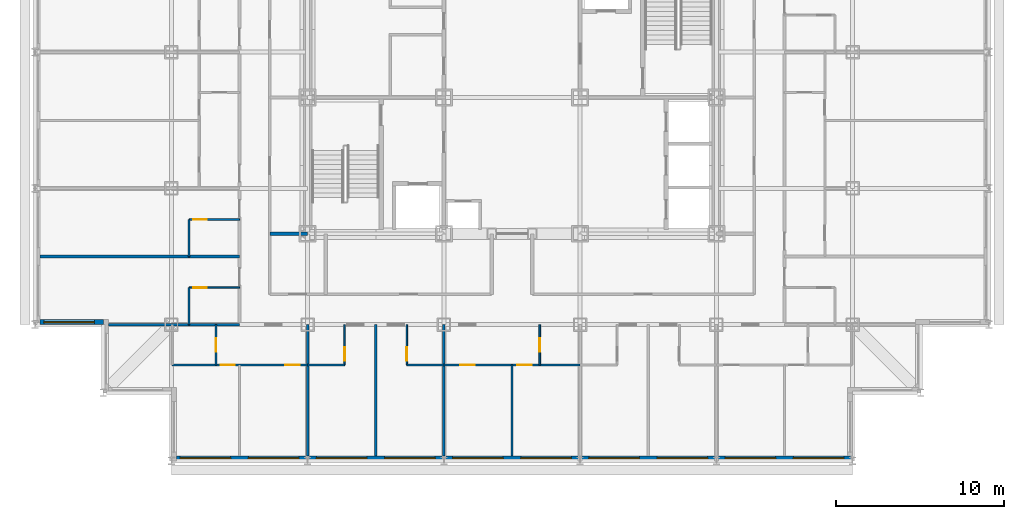
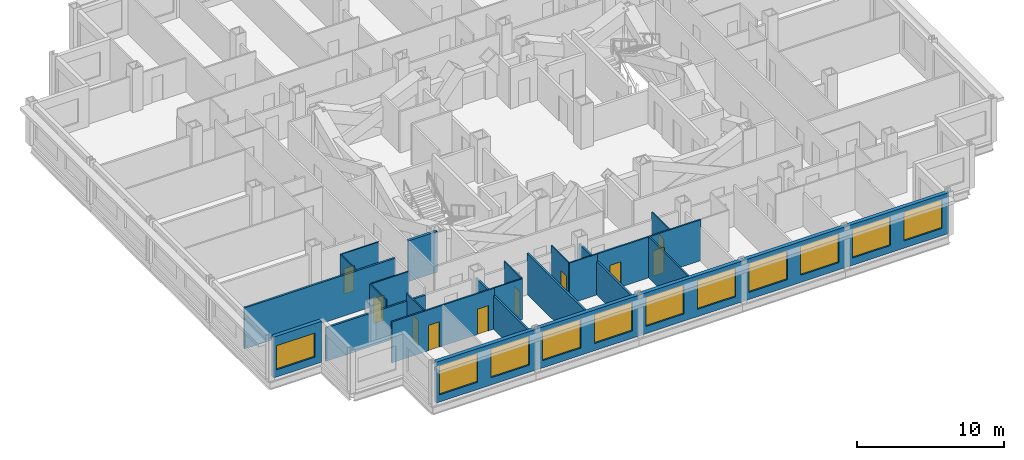
# One storey, part 4 of 12: 21 walls, 11 windows, 10 doors, 21 openings.
"""IFC4 building model written with IfcOpenShell, lengths in metres."""

from ifc_helpers import new_model, si_unit, direction, frame, frame_2d, origin, place, context, subcontext, project, spatial, rectangle, extrude, material, layer, layer_set, type_object, element, fill, save


model = new_model("IFC4")

# Units and contexts
model_context = context("Model", 3, precision=1e-05, world=origin(), true_north=direction((0.0, 1.0)))
body_context = subcontext(model_context, "Body", "Model", "MODEL_VIEW")
ifc_project = project(units=[si_unit("LENGTHUNIT", "METRE"), si_unit("AREAUNIT", "SQUARE_METRE"), si_unit("VOLUMEUNIT", "CUBIC_METRE"), si_unit("PLANEANGLEUNIT", "RADIAN"), si_unit("MASSUNIT", "GRAM", prefix="KILO")], contexts=[model_context])

# Site, building, storey
site_placement = place(None, origin())
site = spatial("IfcSite", under=ifc_project, at=site_placement, CompositionType="ELEMENT")
building_placement = place(site_placement, origin())
building = spatial("IfcBuilding", under=site, at=building_placement, Name="Kopane Lantern Tower", CompositionType="ELEMENT")
storey_placement = place(building_placement, frame((0.0, 0.0, 177.60009765625)))
storey = spatial("IfcBuildingStorey", under=building, at=storey_placement, Name="L45", CompositionType="ELEMENT", Elevation=177.60009765625)

# Wall, openings, doors
ifc_material_1 = material(Name="Gypsum board on steel studs", Category="steel")
ifc_layer_1 = layer(ifc_material_1, 0.1201171875)
ifc_layer_set_1 = layer_set([ifc_layer_1], Name="APARTMENT INTERNAL WALL 120")
wall_type_1 = type_object("IfcWallType", Name="APARTMENT INTERNAL WALL 120", PredefinedType="PARTITIONING", material=ifc_layer_set_1)
wall_1_placement = place(storey_placement, frame((24.300048828125, 16.5, 0.0), z_axis=(0.0, 0.0, 1.0), x_axis=(1.0, 0.0, 0.0)))
wall_1 = element("IfcWall", 1, at=wall_1_placement, inside=storey, type_object=wall_type_1, Name="Apartment Internal Wall 120 L45", PredefinedType="PARTITIONING", context=body_context, shape_type="SweptSolid", body=[
    extrude(rectangle(XDim=8.099853515625, YDim=0.1201171875, at=frame_2d((4.0498046875, 0.0))), origin(), (0.0, 0.0, 1.0), 3.389892578125),
])
opening_1_placement = place(wall_1_placement, frame((0.97509765625, 0.0, 0.0)))
opening_1 = element("IfcOpeningElement", 2, at=opening_1_placement, cuts=wall_1, Name="Opening L45-014", PredefinedType="OPENING", context=body_context, shape_type="SweptSolid", body=[
    extrude(rectangle(XDim=0.85009765625, YDim=2.10009765625, at=frame_2d((0.425048828125, 1.050048828125))), frame((0.0, 0.070068359375, 0.0), z_axis=(0.0, -1.0, 0.0), x_axis=(1.0, 0.0, 0.0)), (0.0, 0.0, 1.0), 0.14013671875),
])
opening_2_placement = place(wall_1_placement, frame((4.375, 0.0, 0.0)))
opening_2 = element("IfcOpeningElement", 3, at=opening_2_placement, cuts=wall_1, Name="Opening L45-015", PredefinedType="OPENING", context=body_context, shape_type="SweptSolid", body=[
    extrude(rectangle(XDim=0.85009765625, YDim=2.10009765625, at=frame_2d((0.425048828125, 1.050048828125))), frame((0.0, 0.070068359375, 0.0), z_axis=(0.0, -1.0, 0.0), x_axis=(1.0, 0.0, 0.0)), (0.0, 0.0, 1.0), 0.14013671875),
])
ifc_material_2 = material(Name="Timber door set", Category="wood")
door_type_1 = type_object("IfcDoorType", Name="DOOR D4 850x2100", OperationType="SINGLE_SWING_LEFT", PredefinedType="DOOR", material=ifc_material_2)
door_1_placement = place(opening_1_placement, origin())
door_1 = element("IfcDoor", 4, at=door_1_placement, inside=storey, type_object=door_type_1, Name="Door L45-014", OperationType="SINGLE_SWING_LEFT", OverallHeight=2.10009765625, OverallWidth=0.85009765625, PredefinedType="DOOR", context=body_context, shape_type="SweptSolid", body=[
    extrude(rectangle(XDim=0.85009765625, YDim=2.10009765625, at=frame_2d((0.425048828125, 1.050048828125))), frame((0.0, 0.02490234375, 0.0), z_axis=(0.0, -1.0, 0.0), x_axis=(1.0, 0.0, 0.0)), (0.0, 0.0, 1.0), 0.050048828125),
])
fill(opening_1, door_1)
door_2_placement = place(opening_2_placement, origin())
door_2 = element("IfcDoor", 5, at=door_2_placement, inside=storey, type_object=door_type_1, Name="Door L45-015", OperationType="SINGLE_SWING_RIGHT", OverallHeight=2.10009765625, OverallWidth=0.85009765625, PredefinedType="DOOR", context=body_context, shape_type="SweptSolid", body=[
    extrude(rectangle(XDim=0.85009765625, YDim=2.10009765625, at=frame_2d((0.425048828125, 1.050048828125))), frame((0.0, 0.02490234375, 0.0), z_axis=(0.0, -1.0, 0.0), x_axis=(1.0, 0.0, 0.0)), (0.0, 0.0, 1.0), 0.050048828125),
])
fill(opening_2, door_2)

# Wall
wall_2_placement = place(storey_placement, frame((28.35009765625, 16.5, 0.0), z_axis=(0.0, 0.0, 1.0), x_axis=(0.0, -1.0, 0.0)))
element("IfcWall", 6, at=wall_2_placement, inside=storey, type_object=wall_type_1, Name="Apartment Internal Wall 120 L45", PredefinedType="PARTITIONING", context=body_context, shape_type="SweptSolid", body=[
    extrude(rectangle(XDim=5.39990234375, YDim=0.1201171875, at=frame_2d((2.699951171875, 0.0))), origin(), (0.0, 0.0, 1.0), 3.389892578125),
])

# Wall, openings, doors
wall_3_placement = place(storey_placement, frame((8.14990234375, 16.5, 0.0), z_axis=(0.0, 0.0, 1.0), x_axis=(1.0, 0.0, 0.0)))
wall_3 = element("IfcWall", 7, at=wall_3_placement, inside=storey, type_object=wall_type_1, Name="Apartment Internal Wall 120 L45", PredefinedType="PARTITIONING", context=body_context, shape_type="SweptSolid", body=[
    extrude(rectangle(XDim=8.050048828125, YDim=0.1201171875, at=frame_2d((4.02490234375, 0.0))), origin(), (0.0, 0.0, 1.0), 3.389892578125),
])
opening_3_placement = place(wall_3_placement, frame((6.72509765625, 0.0, 0.0)))
opening_3 = element("IfcOpeningElement", 8, at=opening_3_placement, cuts=wall_3, Name="Opening L45-055", PredefinedType="OPENING", context=body_context, shape_type="SweptSolid", body=[
    extrude(rectangle(XDim=0.85009765625, YDim=2.10009765625, at=frame_2d((0.425048828125, 1.050048828125))), frame((0.0, 0.070068359375, 0.0), z_axis=(0.0, -1.0, 0.0), x_axis=(1.0, 0.0, 0.0)), (0.0, 0.0, 1.0), 0.14013671875),
])
opening_4_placement = place(wall_3_placement, frame((2.875, 0.0, 0.0)))
opening_4 = element("IfcOpeningElement", 9, at=opening_4_placement, cuts=wall_3, Name="Opening L45-057", PredefinedType="OPENING", context=body_context, shape_type="SweptSolid", body=[
    extrude(rectangle(XDim=0.85009765625, YDim=2.10009765625, at=frame_2d((0.425048828125, 1.050048828125))), frame((0.0, 0.070068359375, 0.0), z_axis=(0.0, -1.0, 0.0), x_axis=(1.0, 0.0, 0.0)), (0.0, 0.0, 1.0), 0.14013671875),
])
door_3_placement = place(opening_3_placement, origin())
door_3 = element("IfcDoor", 10, at=door_3_placement, inside=storey, type_object=door_type_1, Name="Door L45-055", OperationType="SINGLE_SWING_RIGHT", OverallHeight=2.10009765625, OverallWidth=0.85009765625, PredefinedType="DOOR", context=body_context, shape_type="SweptSolid", body=[
    extrude(rectangle(XDim=0.85009765625, YDim=2.10009765625, at=frame_2d((0.425048828125, 1.050048828125))), frame((0.0, 0.02490234375, 0.0), z_axis=(0.0, -1.0, 0.0), x_axis=(1.0, 0.0, 0.0)), (0.0, 0.0, 1.0), 0.050048828125),
])
fill(opening_3, door_3)
door_4_placement = place(opening_4_placement, origin())
door_4 = element("IfcDoor", 11, at=door_4_placement, inside=storey, type_object=door_type_1, Name="Door L45-057", OperationType="SINGLE_SWING_LEFT", OverallHeight=2.10009765625, OverallWidth=0.85009765625, PredefinedType="DOOR", context=body_context, shape_type="SweptSolid", body=[
    extrude(rectangle(XDim=0.85009765625, YDim=2.10009765625, at=frame_2d((0.425048828125, 1.050048828125))), frame((0.0, 0.02490234375, 0.0), z_axis=(0.0, -1.0, 0.0), x_axis=(1.0, 0.0, 0.0)), (0.0, 0.0, 1.0), 0.050048828125),
])
fill(opening_4, door_4)

# Wall
ifc_material_3 = material(Name="Moisture-resistant board on steel studs", Category="steel")
ifc_layer_2 = layer(ifc_material_3, 0.10009765625)
ifc_layer_set_2 = layer_set([ifc_layer_2], Name="BATHROOM WALL 100")
wall_type_2 = type_object("IfcWallType", Name="BATHROOM WALL 100", PredefinedType="PARTITIONING", material=ifc_layer_set_2)
wall_4_placement = place(storey_placement, frame((16.199951171875, 16.5, 0.0), z_axis=(0.0, 0.0, 1.0), x_axis=(1.0, 0.0, 0.0)))
element("IfcWall", 12, at=wall_4_placement, inside=storey, type_object=wall_type_2, Name="Bathroom Wall 100 L45", PredefinedType="PARTITIONING", context=body_context, shape_type="SweptSolid", body=[
    extrude(rectangle(XDim=2.199951171875, YDim=0.10009765625, at=frame_2d((1.10009765625, 0.0))), origin(), (0.0, 0.0, 1.0), 3.389892578125),
])

# Wall, opening, door
wall_5_placement = place(storey_placement, frame((18.39990234375, 18.89990234375, 0.0), z_axis=(0.0, 0.0, 1.0), x_axis=(0.0, -1.0, 0.0)))
wall_5 = element("IfcWall", 13, at=wall_5_placement, inside=storey, type_object=wall_type_2, Name="Bathroom Wall 100 L45", PredefinedType="PARTITIONING", context=body_context, shape_type="SweptSolid", body=[
    extrude(rectangle(XDim=2.39990234375, YDim=0.10009765625, at=frame_2d((1.199951171875, 0.0))), origin(), (0.0, 0.0, 1.0), 3.389892578125),
])
opening_5_placement = place(wall_5_placement, frame((1.35009765625, 0.0, 0.0)))
opening_5 = element("IfcOpeningElement", 14, at=opening_5_placement, cuts=wall_5, Name="Opening L45-008", PredefinedType="OPENING", context=body_context, shape_type="SweptSolid", body=[
    extrude(rectangle(XDim=0.800048828125, YDim=2.10009765625, at=frame_2d((0.39990234375, 1.050048828125))), frame((0.0, 0.06005859375, 0.0), z_axis=(0.0, -1.0, 0.0), x_axis=(1.0, 0.0, 0.0)), (0.0, 0.0, 1.0), 0.1201171875),
])
ifc_material_4 = material(Name="Timber door set", Category="wood")
door_type_2 = type_object("IfcDoorType", Name="DOOR D2 800x2100", OperationType="SINGLE_SWING_LEFT", PredefinedType="DOOR", material=ifc_material_4)
door_5_placement = place(opening_5_placement, origin())
door_5 = element("IfcDoor", 15, at=door_5_placement, inside=storey, type_object=door_type_2, Name="Door L45-008", OperationType="SINGLE_SWING_LEFT", OverallHeight=2.10009765625, OverallWidth=0.800048828125, PredefinedType="DOOR", context=body_context, shape_type="SweptSolid", body=[
    extrude(rectangle(XDim=0.800048828125, YDim=2.10009765625, at=frame_2d((0.39990234375, 1.050048828125))), frame((0.0, 0.02490234375, 0.0), z_axis=(0.0, -1.0, 0.0), x_axis=(1.0, 0.0, 0.0)), (0.0, 0.0, 1.0), 0.050048828125),
])
fill(opening_5, door_5)

# Wall
wall_6_placement = place(storey_placement, frame((22.10009765625, 16.5, 0.0), z_axis=(0.0, 0.0, 1.0), x_axis=(1.0, 0.0, 0.0)))
element("IfcWall", 16, at=wall_6_placement, inside=storey, type_object=wall_type_2, Name="Bathroom Wall 100 L45", PredefinedType="PARTITIONING", context=body_context, shape_type="SweptSolid", body=[
    extrude(rectangle(XDim=2.199951171875, YDim=0.10009765625, at=frame_2d((1.10009765625, 0.0))), origin(), (0.0, 0.0, 1.0), 3.389892578125),
])

# Wall, opening, door
wall_7_placement = place(storey_placement, frame((22.10009765625, 18.89990234375, 0.0), z_axis=(0.0, 0.0, 1.0), x_axis=(0.0, -1.0, 0.0)))
wall_7 = element("IfcWall", 17, at=wall_7_placement, inside=storey, type_object=wall_type_2, Name="Bathroom Wall 100 L45", PredefinedType="PARTITIONING", context=body_context, shape_type="SweptSolid", body=[
    extrude(rectangle(XDim=2.39990234375, YDim=0.10009765625, at=frame_2d((1.199951171875, 0.0))), origin(), (0.0, 0.0, 1.0), 3.389892578125),
])
opening_6_placement = place(wall_7_placement, frame((1.35009765625, 0.0, 0.0)))
opening_6 = element("IfcOpeningElement", 18, at=opening_6_placement, cuts=wall_7, Name="Opening L45-010", PredefinedType="OPENING", context=body_context, shape_type="SweptSolid", body=[
    extrude(rectangle(XDim=0.800048828125, YDim=2.10009765625, at=frame_2d((0.39990234375, 1.050048828125))), frame((0.0, 0.06005859375, 0.0), z_axis=(0.0, -1.0, 0.0), x_axis=(1.0, 0.0, 0.0)), (0.0, 0.0, 1.0), 0.1201171875),
])
door_6_placement = place(opening_6_placement, origin())
door_6 = element("IfcDoor", 19, at=door_6_placement, inside=storey, type_object=door_type_2, Name="Door L45-010", OperationType="SINGLE_SWING_RIGHT", OverallHeight=2.10009765625, OverallWidth=0.800048828125, PredefinedType="DOOR", context=body_context, shape_type="SweptSolid", body=[
    extrude(rectangle(XDim=0.800048828125, YDim=2.10009765625, at=frame_2d((0.39990234375, 1.050048828125))), frame((0.0, 0.02490234375, 0.0), z_axis=(0.0, -1.0, 0.0), x_axis=(1.0, 0.0, 0.0)), (0.0, 0.0, 1.0), 0.050048828125),
])
fill(opening_6, door_6)

wall_8_placement = place(storey_placement, frame((30.0, 18.89990234375, 0.0), z_axis=(0.0, 0.0, 1.0), x_axis=(0.0, -1.0, 0.0)))
wall_8 = element("IfcWall", 20, at=wall_8_placement, inside=storey, type_object=wall_type_2, Name="Bathroom Wall 100 L45", PredefinedType="PARTITIONING", context=body_context, shape_type="SweptSolid", body=[
    extrude(rectangle(XDim=2.39990234375, YDim=0.10009765625, at=frame_2d((1.199951171875, 0.0))), origin(), (0.0, 0.0, 1.0), 3.389892578125),
])
opening_7_placement = place(wall_8_placement, frame((0.800048828125, 0.0, 0.0)))
opening_7 = element("IfcOpeningElement", 21, at=opening_7_placement, cuts=wall_8, Name="Opening L45-012", PredefinedType="OPENING", context=body_context, shape_type="SweptSolid", body=[
    extrude(rectangle(XDim=0.800048828125, YDim=2.10009765625, at=frame_2d((0.39990234375, 1.050048828125))), frame((0.0, 0.06005859375, 0.0), z_axis=(0.0, -1.0, 0.0), x_axis=(1.0, 0.0, 0.0)), (0.0, 0.0, 1.0), 0.1201171875),
])
door_7_placement = place(opening_7_placement, origin())
door_7 = element("IfcDoor", 22, at=door_7_placement, inside=storey, type_object=door_type_2, Name="Door L45-012", OperationType="SINGLE_SWING_LEFT", OverallHeight=2.10009765625, OverallWidth=0.800048828125, PredefinedType="DOOR", context=body_context, shape_type="SweptSolid", body=[
    extrude(rectangle(XDim=0.800048828125, YDim=2.10009765625, at=frame_2d((0.39990234375, 1.050048828125))), frame((0.0, 0.02490234375, 0.0), z_axis=(0.0, -1.0, 0.0), x_axis=(1.0, 0.0, 0.0)), (0.0, 0.0, 1.0), 0.050048828125),
])
fill(opening_7, door_7)

# Wall
wall_9_placement = place(storey_placement, frame((9.14990234375, 18.89990234375, 0.0), z_axis=(0.0, 0.0, 1.0), x_axis=(0.0, 1.0, 0.0)))
element("IfcWall", 23, at=wall_9_placement, inside=storey, type_object=wall_type_2, Name="Bathroom Wall 100 L45", PredefinedType="PARTITIONING", context=body_context, shape_type="SweptSolid", body=[
    extrude(rectangle(XDim=2.2001953125, YDim=0.10009765625, at=frame_2d((1.10009765625, 0.0))), origin(), (0.0, 0.0, 1.0), 3.389892578125),
])

# Wall, opening, door
wall_10_placement = place(storey_placement, frame((12.14990234375, 21.10009765625, 0.0), z_axis=(0.0, 0.0, 1.0), x_axis=(-1.0, 0.0, 0.0)))
wall_10 = element("IfcWall", 24, at=wall_10_placement, inside=storey, type_object=wall_type_2, Name="Bathroom Wall 100 L45", PredefinedType="PARTITIONING", context=body_context, shape_type="SweptSolid", body=[
    extrude(rectangle(XDim=3.0, YDim=0.10009765625, at=frame_2d((1.5, 0.0))), origin(), (0.0, 0.0, 1.0), 3.389892578125),
])
opening_8_placement = place(wall_10_placement, frame((1.949951171875, 0.0, 0.0)))
opening_8 = element("IfcOpeningElement", 25, at=opening_8_placement, cuts=wall_10, Name="Opening L45-032", PredefinedType="OPENING", context=body_context, shape_type="SweptSolid", body=[
    extrude(rectangle(XDim=0.800048828125, YDim=2.10009765625, at=frame_2d((0.39990234375, 1.050048828125))), frame((0.0, 0.06005859375, 0.0), z_axis=(0.0, -1.0, 0.0), x_axis=(1.0, 0.0, 0.0)), (0.0, 0.0, 1.0), 0.1201171875),
])
door_8_placement = place(opening_8_placement, origin())
door_8 = element("IfcDoor", 26, at=door_8_placement, inside=storey, type_object=door_type_2, Name="Door L45-032", OperationType="SINGLE_SWING_RIGHT", OverallHeight=2.10009765625, OverallWidth=0.800048828125, PredefinedType="DOOR", context=body_context, shape_type="SweptSolid", body=[
    extrude(rectangle(XDim=0.800048828125, YDim=2.10009765625, at=frame_2d((0.39990234375, 1.050048828125))), frame((0.0, 0.02490234375, 0.0), z_axis=(0.0, -1.0, 0.0), x_axis=(1.0, 0.0, 0.0)), (0.0, 0.0, 1.0), 0.050048828125),
])
fill(opening_8, door_8)

# Wall
wall_11_placement = place(storey_placement, frame((9.14990234375, 22.949951171875, 0.0), z_axis=(0.0, 0.0, 1.0), x_axis=(0.0, 1.0, 0.0)))
element("IfcWall", 27, at=wall_11_placement, inside=storey, type_object=wall_type_2, Name="Bathroom Wall 100 L45", PredefinedType="PARTITIONING", context=body_context, shape_type="SweptSolid", body=[
    extrude(rectangle(XDim=2.199951171875, YDim=0.10009765625, at=frame_2d((1.10009765625, 0.0))), origin(), (0.0, 0.0, 1.0), 3.389892578125),
])

# Wall, opening, door
wall_12_placement = place(storey_placement, frame((12.14990234375, 25.14990234375, 0.0), z_axis=(0.0, 0.0, 1.0), x_axis=(-1.0, 0.0, 0.0)))
wall_12 = element("IfcWall", 28, at=wall_12_placement, inside=storey, type_object=wall_type_2, Name="Bathroom Wall 100 L45", PredefinedType="PARTITIONING", context=body_context, shape_type="SweptSolid", body=[
    extrude(rectangle(XDim=3.0, YDim=0.10009765625, at=frame_2d((1.5, 0.0))), origin(), (0.0, 0.0, 1.0), 3.389892578125),
])
opening_9_placement = place(wall_12_placement, frame((1.949951171875, 0.0, 0.0)))
opening_9 = element("IfcOpeningElement", 29, at=opening_9_placement, cuts=wall_12, Name="Opening L45-034", PredefinedType="OPENING", context=body_context, shape_type="SweptSolid", body=[
    extrude(rectangle(XDim=0.800048828125, YDim=2.10009765625, at=frame_2d((0.39990234375, 1.050048828125))), frame((0.0, 0.06005859375, 0.0), z_axis=(0.0, -1.0, 0.0), x_axis=(1.0, 0.0, 0.0)), (0.0, 0.0, 1.0), 0.1201171875),
])
door_9_placement = place(opening_9_placement, origin())
door_9 = element("IfcDoor", 30, at=door_9_placement, inside=storey, type_object=door_type_2, Name="Door L45-034", OperationType="SINGLE_SWING_RIGHT", OverallHeight=2.10009765625, OverallWidth=0.800048828125, PredefinedType="DOOR", context=body_context, shape_type="SweptSolid", body=[
    extrude(rectangle(XDim=0.800048828125, YDim=2.10009765625, at=frame_2d((0.39990234375, 1.050048828125))), frame((0.0, 0.02490234375, 0.0), z_axis=(0.0, -1.0, 0.0), x_axis=(1.0, 0.0, 0.0)), (0.0, 0.0, 1.0), 0.050048828125),
])
fill(opening_9, door_9)

wall_13_placement = place(storey_placement, frame((10.75, 18.89990234375, 0.0), z_axis=(0.0, 0.0, 1.0), x_axis=(0.0, -1.0, 0.0)))
wall_13 = element("IfcWall", 31, at=wall_13_placement, inside=storey, type_object=wall_type_2, Name="Bathroom Wall 100 L45", PredefinedType="PARTITIONING", context=body_context, shape_type="SweptSolid", body=[
    extrude(rectangle(XDim=2.39990234375, YDim=0.10009765625, at=frame_2d((1.199951171875, 0.0))), origin(), (0.0, 0.0, 1.0), 3.389892578125),
])
opening_10_placement = place(wall_13_placement, frame((0.800048828125, 0.0, 0.0)))
opening_10 = element("IfcOpeningElement", 32, at=opening_10_placement, cuts=wall_13, Name="Opening L45-056", PredefinedType="OPENING", context=body_context, shape_type="SweptSolid", body=[
    extrude(rectangle(XDim=0.800048828125, YDim=2.10009765625, at=frame_2d((0.39990234375, 1.050048828125))), frame((0.0, 0.06005859375, 0.0), z_axis=(0.0, -1.0, 0.0), x_axis=(1.0, 0.0, 0.0)), (0.0, 0.0, 1.0), 0.1201171875),
])
door_10_placement = place(opening_10_placement, origin())
door_10 = element("IfcDoor", 33, at=door_10_placement, inside=storey, type_object=door_type_2, Name="Door L45-056", OperationType="SINGLE_SWING_RIGHT", OverallHeight=2.10009765625, OverallWidth=0.800048828125, PredefinedType="DOOR", context=body_context, shape_type="SweptSolid", body=[
    extrude(rectangle(XDim=0.800048828125, YDim=2.10009765625, at=frame_2d((0.39990234375, 1.050048828125))), frame((0.0, 0.02490234375, 0.0), z_axis=(0.0, -1.0, 0.0), x_axis=(1.0, 0.0, 0.0)), (0.0, 0.0, 1.0), 0.050048828125),
])
fill(opening_10, door_10)

# Walls
ifc_material_5 = material(Name="Gypsum board on steel studs", Category="steel")
ifc_layer_3 = layer(ifc_material_5, 0.14990234375)
ifc_layer_set_3 = layer_set([ifc_layer_3], Name="DEMISING WALL 150 EI 60")
wall_type_3 = type_object("IfcWallType", Name="DEMISING WALL 150 EI 60", PredefinedType="PARTITIONING", material=ifc_layer_set_3)
wall_14_placement = place(storey_placement, frame((20.25, 18.89990234375, 0.0), z_axis=(0.0, 0.0, 1.0), x_axis=(0.0, -1.0, 0.0)))
element("IfcWall", 34, at=wall_14_placement, inside=storey, type_object=wall_type_3, Name="Demising Wall 150 Ei 60 L45", PredefinedType="PARTITIONING", context=body_context, shape_type="SweptSolid", body=[
    extrude(rectangle(XDim=7.7998046875, YDim=0.14990234375, at=frame_2d((3.89990234375, 0.0))), origin(), (0.0, 0.0, 1.0), 3.389892578125),
])
wall_15_placement = place(storey_placement, frame((24.300048828125, 18.89990234375, 0.0), z_axis=(0.0, 0.0, 1.0), x_axis=(0.0, -1.0, 0.0)))
element("IfcWall", 35, at=wall_15_placement, inside=storey, type_object=wall_type_3, Name="Demising Wall 150 Ei 60 L45", PredefinedType="PARTITIONING", context=body_context, shape_type="SweptSolid", body=[
    extrude(rectangle(XDim=7.7998046875, YDim=0.14990234375, at=frame_2d((3.89990234375, 0.0))), origin(), (0.0, 0.0, 1.0), 2.777587890625),
])
wall_16_placement = place(storey_placement, frame((12.14990234375, 22.949951171875, 0.0), z_axis=(0.0, 0.0, 1.0), x_axis=(-1.0, 0.0, 0.0)))
element("IfcWall", 36, at=wall_16_placement, inside=storey, type_object=wall_type_3, Name="Demising Wall 150 Ei 60 L45", PredefinedType="PARTITIONING", context=body_context, shape_type="SweptSolid", body=[
    extrude(rectangle(XDim=11.849853515625, YDim=0.14990234375, at=frame_2d((5.9248046875, 0.0))), origin(), (0.0, 0.0, 1.0), 3.389892578125),
])
for number, where, z_axis, x_axis, name in (
    (37, (4.35009765625, 18.89990234375, 0.0), (0.0, 0.0, 1.0), (1.0, 0.0, 0.0), "Demising Wall 150 Ei 60 L45"),
    (38, (16.199951171875, 18.89990234375, 0.0), (0.0, 0.0, 1.0), (0.0, -1.0, 0.0), "Demising Wall 150 Ei 60 L45"),
):
    element("IfcWall", number, at=place(storey_placement, frame(where, z_axis=z_axis, x_axis=x_axis)), inside=storey, type_object=wall_type_3, Name=name, PredefinedType="PARTITIONING", context=body_context, shape_type="SweptSolid", body=[
        extrude(rectangle(XDim=7.7998046875, YDim=0.14990234375, at=frame_2d((3.89990234375, 0.0))), origin(), (0.0, 0.0, 1.0), 2.777587890625),
    ])

# Wall, openings, windows
ifc_material_6 = material(Name="Terracotta rainscreen on light steel framing", Category="masonry")
ifc_layer_4 = layer(ifc_material_6, 0.300048828125)
ifc_layer_set_4 = layer_set([ifc_layer_4], Name="EXTERNAL WALL EW1 300 TERRACOTTA")
wall_type_4 = type_object("IfcWallType", Name="EXTERNAL WALL EW1 300 TERRACOTTA", PredefinedType="SOLIDWALL", material=ifc_layer_set_4)
wall_17_placement = place(storey_placement, frame((8.39990234375, 10.949951171875, 0.0), z_axis=(0.0, 0.0, 1.0), x_axis=(1.0, 0.0, 0.0)))
wall_17 = element("IfcWall", 39, at=wall_17_placement, inside=storey, type_object=wall_type_4, Name="External wall S L45", PredefinedType="SOLIDWALL", context=body_context, shape_type="SweptSolid", body=[
    extrude(rectangle(XDim=40.2001953125, YDim=0.300048828125, at=frame_2d((20.10009765625, 0.0))), origin(), (0.0, 0.0, 1.0), 3.389892578125),
])
opening_11_placement = place(wall_17_placement, frame((0.22509765625, 0.0, 0.60009765625)))
opening_11 = element("IfcOpeningElement", 40, at=opening_11_placement, cuts=wall_17, Name="Opening WR300240", PredefinedType="OPENING", context=body_context, shape_type="SweptSolid", body=[
    extrude(rectangle(XDim=3.0, YDim=2.39990234375, at=frame_2d((1.5, 1.199951171875))), frame((0.0, 0.159912109375, 0.0), z_axis=(0.0, -1.0, 0.0), x_axis=(1.0, 0.0, 0.0)), (0.0, 0.0, 1.0), 0.320068359375),
])
opening_12_placement = place(wall_17_placement, frame((4.27490234375, 0.0, 0.60009765625)))
opening_12 = element("IfcOpeningElement", 41, at=opening_12_placement, cuts=wall_17, Name="Opening WR300240", PredefinedType="OPENING", context=body_context, shape_type="SweptSolid", body=[
    extrude(rectangle(XDim=3.0, YDim=2.39990234375, at=frame_2d((1.5, 1.199951171875))), frame((0.0, 0.159912109375, 0.0), z_axis=(0.0, -1.0, 0.0), x_axis=(1.0, 0.0, 0.0)), (0.0, 0.0, 1.0), 0.320068359375),
])
opening_13_placement = place(wall_17_placement, frame((8.324951171875, 0.0, 0.60009765625)))
opening_13 = element("IfcOpeningElement", 42, at=opening_13_placement, cuts=wall_17, Name="Opening WR300240", PredefinedType="OPENING", context=body_context, shape_type="SweptSolid", body=[
    extrude(rectangle(XDim=3.0, YDim=2.39990234375, at=frame_2d((1.5, 1.199951171875))), frame((0.0, 0.159912109375, 0.0), z_axis=(0.0, -1.0, 0.0), x_axis=(1.0, 0.0, 0.0)), (0.0, 0.0, 1.0), 0.320068359375),
])
opening_14_placement = place(wall_17_placement, frame((12.375, 0.0, 0.60009765625)))
opening_14 = element("IfcOpeningElement", 43, at=opening_14_placement, cuts=wall_17, Name="Opening WR300240", PredefinedType="OPENING", context=body_context, shape_type="SweptSolid", body=[
    extrude(rectangle(XDim=3.0, YDim=2.39990234375, at=frame_2d((1.5, 1.199951171875))), frame((0.0, 0.159912109375, 0.0), z_axis=(0.0, -1.0, 0.0), x_axis=(1.0, 0.0, 0.0)), (0.0, 0.0, 1.0), 0.320068359375),
])
opening_15_placement = place(wall_17_placement, frame((16.425048828125, 0.0, 0.60009765625)))
opening_15 = element("IfcOpeningElement", 44, at=opening_15_placement, cuts=wall_17, Name="Opening WR300240", PredefinedType="OPENING", context=body_context, shape_type="SweptSolid", body=[
    extrude(rectangle(XDim=3.0, YDim=2.39990234375, at=frame_2d((1.5, 1.199951171875))), frame((0.0, 0.159912109375, 0.0), z_axis=(0.0, -1.0, 0.0), x_axis=(1.0, 0.0, 0.0)), (0.0, 0.0, 1.0), 0.320068359375),
])
opening_16_placement = place(wall_17_placement, frame((20.47509765625, 0.0, 0.60009765625)))
opening_16 = element("IfcOpeningElement", 45, at=opening_16_placement, cuts=wall_17, Name="Opening WR300240", PredefinedType="OPENING", context=body_context, shape_type="SweptSolid", body=[
    extrude(rectangle(XDim=3.0, YDim=2.39990234375, at=frame_2d((1.5, 1.199951171875))), frame((0.0, 0.159912109375, 0.0), z_axis=(0.0, -1.0, 0.0), x_axis=(1.0, 0.0, 0.0)), (0.0, 0.0, 1.0), 0.320068359375),
])
opening_17_placement = place(wall_17_placement, frame((24.52490234375, 0.0, 0.60009765625)))
opening_17 = element("IfcOpeningElement", 46, at=opening_17_placement, cuts=wall_17, Name="Opening WR300240", PredefinedType="OPENING", context=body_context, shape_type="SweptSolid", body=[
    extrude(rectangle(XDim=3.0, YDim=2.39990234375, at=frame_2d((1.5, 1.199951171875))), frame((0.0, 0.159912109375, 0.0), z_axis=(0.0, -1.0, 0.0), x_axis=(1.0, 0.0, 0.0)), (0.0, 0.0, 1.0), 0.320068359375),
])
opening_18_placement = place(wall_17_placement, frame((28.574951171875, 0.0, 0.60009765625)))
opening_18 = element("IfcOpeningElement", 47, at=opening_18_placement, cuts=wall_17, Name="Opening WR300240", PredefinedType="OPENING", context=body_context, shape_type="SweptSolid", body=[
    extrude(rectangle(XDim=3.0, YDim=2.39990234375, at=frame_2d((1.5, 1.199951171875))), frame((0.0, 0.159912109375, 0.0), z_axis=(0.0, -1.0, 0.0), x_axis=(1.0, 0.0, 0.0)), (0.0, 0.0, 1.0), 0.320068359375),
])
opening_19_placement = place(wall_17_placement, frame((32.625, 0.0, 0.60009765625)))
opening_19 = element("IfcOpeningElement", 48, at=opening_19_placement, cuts=wall_17, Name="Opening WR300240", PredefinedType="OPENING", context=body_context, shape_type="SweptSolid", body=[
    extrude(rectangle(XDim=3.0, YDim=2.39990234375, at=frame_2d((1.5, 1.199951171875))), frame((0.0, 0.159912109375, 0.0), z_axis=(0.0, -1.0, 0.0), x_axis=(1.0, 0.0, 0.0)), (0.0, 0.0, 1.0), 0.320068359375),
])
opening_20_placement = place(wall_17_placement, frame((36.675048828125, 0.0, 0.60009765625)))
opening_20 = element("IfcOpeningElement", 49, at=opening_20_placement, cuts=wall_17, Name="Opening WR300240", PredefinedType="OPENING", context=body_context, shape_type="SweptSolid", body=[
    extrude(rectangle(XDim=3.0, YDim=2.39990234375, at=frame_2d((1.5, 1.199951171875))), frame((0.0, 0.159912109375, 0.0), z_axis=(0.0, -1.0, 0.0), x_axis=(1.0, 0.0, 0.0)), (0.0, 0.0, 1.0), 0.320068359375),
])
ifc_material_7 = material(Name="Aluminium and clear glass", Category="aluminium")
window_type_1 = type_object("IfcWindowType", Name="RIBBON WINDOW WR300240 3000x2400", PartitioningType="SINGLE_PANEL", PredefinedType="WINDOW", material=ifc_material_7)
window_1_placement = place(opening_11_placement, origin())
window_1 = element("IfcWindow", 50, at=window_1_placement, inside=storey, type_object=window_type_1, Name="Window S L45", OverallHeight=2.39990234375, OverallWidth=3.0, PartitioningType="SINGLE_PANEL", PredefinedType="WINDOW", context=body_context, shape_type="SweptSolid", body=[
    extrude(rectangle(XDim=3.0, YDim=2.39990234375, at=frame_2d((1.5, 1.199951171875))), frame((0.0, 0.030029296875, 0.0), z_axis=(0.0, -1.0, 0.0), x_axis=(1.0, 0.0, 0.0)), (0.0, 0.0, 1.0), 0.06005859375),
])
fill(opening_11, window_1)
window_2_placement = place(opening_12_placement, origin())
window_2 = element("IfcWindow", 51, at=window_2_placement, inside=storey, type_object=window_type_1, Name="Window S L45", OverallHeight=2.39990234375, OverallWidth=3.0, PartitioningType="SINGLE_PANEL", PredefinedType="WINDOW", context=body_context, shape_type="SweptSolid", body=[
    extrude(rectangle(XDim=3.0, YDim=2.39990234375, at=frame_2d((1.5, 1.199951171875))), frame((0.0, 0.030029296875, 0.0), z_axis=(0.0, -1.0, 0.0), x_axis=(1.0, 0.0, 0.0)), (0.0, 0.0, 1.0), 0.06005859375),
])
fill(opening_12, window_2)
window_3_placement = place(opening_13_placement, origin())
window_3 = element("IfcWindow", 52, at=window_3_placement, inside=storey, type_object=window_type_1, Name="Window S L45", OverallHeight=2.39990234375, OverallWidth=3.0, PartitioningType="SINGLE_PANEL", PredefinedType="WINDOW", context=body_context, shape_type="SweptSolid", body=[
    extrude(rectangle(XDim=3.0, YDim=2.39990234375, at=frame_2d((1.5, 1.199951171875))), frame((0.0, 0.030029296875, 0.0), z_axis=(0.0, -1.0, 0.0), x_axis=(1.0, 0.0, 0.0)), (0.0, 0.0, 1.0), 0.06005859375),
])
fill(opening_13, window_3)
window_4_placement = place(opening_14_placement, origin())
window_4 = element("IfcWindow", 53, at=window_4_placement, inside=storey, type_object=window_type_1, Name="Window S L45", OverallHeight=2.39990234375, OverallWidth=3.0, PartitioningType="SINGLE_PANEL", PredefinedType="WINDOW", context=body_context, shape_type="SweptSolid", body=[
    extrude(rectangle(XDim=3.0, YDim=2.39990234375, at=frame_2d((1.5, 1.199951171875))), frame((0.0, 0.030029296875, 0.0), z_axis=(0.0, -1.0, 0.0), x_axis=(1.0, 0.0, 0.0)), (0.0, 0.0, 1.0), 0.06005859375),
])
fill(opening_14, window_4)
window_5_placement = place(opening_15_placement, origin())
window_5 = element("IfcWindow", 54, at=window_5_placement, inside=storey, type_object=window_type_1, Name="Window S L45", OverallHeight=2.39990234375, OverallWidth=3.0, PartitioningType="SINGLE_PANEL", PredefinedType="WINDOW", context=body_context, shape_type="SweptSolid", body=[
    extrude(rectangle(XDim=3.0, YDim=2.39990234375, at=frame_2d((1.5, 1.199951171875))), frame((0.0, 0.030029296875, 0.0), z_axis=(0.0, -1.0, 0.0), x_axis=(1.0, 0.0, 0.0)), (0.0, 0.0, 1.0), 0.06005859375),
])
fill(opening_15, window_5)
window_6_placement = place(opening_16_placement, origin())
window_6 = element("IfcWindow", 55, at=window_6_placement, inside=storey, type_object=window_type_1, Name="Window S L45", OverallHeight=2.39990234375, OverallWidth=3.0, PartitioningType="SINGLE_PANEL", PredefinedType="WINDOW", context=body_context, shape_type="SweptSolid", body=[
    extrude(rectangle(XDim=3.0, YDim=2.39990234375, at=frame_2d((1.5, 1.199951171875))), frame((0.0, 0.030029296875, 0.0), z_axis=(0.0, -1.0, 0.0), x_axis=(1.0, 0.0, 0.0)), (0.0, 0.0, 1.0), 0.06005859375),
])
fill(opening_16, window_6)
window_7_placement = place(opening_17_placement, origin())
window_7 = element("IfcWindow", 56, at=window_7_placement, inside=storey, type_object=window_type_1, Name="Window S L45", OverallHeight=2.39990234375, OverallWidth=3.0, PartitioningType="SINGLE_PANEL", PredefinedType="WINDOW", context=body_context, shape_type="SweptSolid", body=[
    extrude(rectangle(XDim=3.0, YDim=2.39990234375, at=frame_2d((1.5, 1.199951171875))), frame((0.0, 0.030029296875, 0.0), z_axis=(0.0, -1.0, 0.0), x_axis=(1.0, 0.0, 0.0)), (0.0, 0.0, 1.0), 0.06005859375),
])
fill(opening_17, window_7)
window_8_placement = place(opening_18_placement, origin())
window_8 = element("IfcWindow", 57, at=window_8_placement, inside=storey, type_object=window_type_1, Name="Window S L45", OverallHeight=2.39990234375, OverallWidth=3.0, PartitioningType="SINGLE_PANEL", PredefinedType="WINDOW", context=body_context, shape_type="SweptSolid", body=[
    extrude(rectangle(XDim=3.0, YDim=2.39990234375, at=frame_2d((1.5, 1.199951171875))), frame((0.0, 0.030029296875, 0.0), z_axis=(0.0, -1.0, 0.0), x_axis=(1.0, 0.0, 0.0)), (0.0, 0.0, 1.0), 0.06005859375),
])
fill(opening_18, window_8)
window_9_placement = place(opening_19_placement, origin())
window_9 = element("IfcWindow", 58, at=window_9_placement, inside=storey, type_object=window_type_1, Name="Window S L45", OverallHeight=2.39990234375, OverallWidth=3.0, PartitioningType="SINGLE_PANEL", PredefinedType="WINDOW", context=body_context, shape_type="SweptSolid", body=[
    extrude(rectangle(XDim=3.0, YDim=2.39990234375, at=frame_2d((1.5, 1.199951171875))), frame((0.0, 0.030029296875, 0.0), z_axis=(0.0, -1.0, 0.0), x_axis=(1.0, 0.0, 0.0)), (0.0, 0.0, 1.0), 0.06005859375),
])
fill(opening_19, window_9)
window_10_placement = place(opening_20_placement, origin())
window_10 = element("IfcWindow", 59, at=window_10_placement, inside=storey, type_object=window_type_1, Name="Window S L45", OverallHeight=2.39990234375, OverallWidth=3.0, PartitioningType="SINGLE_PANEL", PredefinedType="WINDOW", context=body_context, shape_type="SweptSolid", body=[
    extrude(rectangle(XDim=3.0, YDim=2.39990234375, at=frame_2d((1.5, 1.199951171875))), frame((0.0, 0.030029296875, 0.0), z_axis=(0.0, -1.0, 0.0), x_axis=(1.0, 0.0, 0.0)), (0.0, 0.0, 1.0), 0.06005859375),
])
fill(opening_20, window_10)

# Wall, opening, window
wall_18_placement = place(storey_placement, frame((0.300048828125, 19.050048828125, 0.0), z_axis=(0.0, 0.0, 1.0), x_axis=(1.0, 0.0, 0.0)))
wall_18 = element("IfcWall", 60, at=wall_18_placement, inside=storey, type_object=wall_type_4, Name="External wall S L45", PredefinedType="SOLIDWALL", context=body_context, shape_type="SweptSolid", body=[
    extrude(rectangle(XDim=3.75, YDim=0.300048828125, at=frame_2d((1.875, 0.0))), origin(), (0.0, 0.0, 1.0), 3.389892578125),
])
opening_21_placement = place(wall_18_placement, frame((0.22509765625, 0.0, 0.60009765625)))
opening_21 = element("IfcOpeningElement", 61, at=opening_21_placement, cuts=wall_18, Name="Opening WR300200", PredefinedType="OPENING", context=body_context, shape_type="SweptSolid", body=[
    extrude(rectangle(XDim=3.0, YDim=2.0, at=frame_2d((1.5, 1.0))), frame((0.0, 0.159912109375, 0.0), z_axis=(0.0, -1.0, 0.0), x_axis=(1.0, 0.0, 0.0)), (0.0, 0.0, 1.0), 0.320068359375),
])
ifc_material_8 = material(Name="Aluminium and clear glass", Category="aluminium")
window_type_2 = type_object("IfcWindowType", Name="RIBBON WINDOW WR300200 3000x2000", PartitioningType="SINGLE_PANEL", PredefinedType="WINDOW", material=ifc_material_8)
window_11_placement = place(opening_21_placement, origin())
window_11 = element("IfcWindow", 62, at=window_11_placement, inside=storey, type_object=window_type_2, Name="Window S L45", OverallHeight=2.0, OverallWidth=3.0, PartitioningType="SINGLE_PANEL", PredefinedType="WINDOW", context=body_context, shape_type="SweptSolid", body=[
    extrude(rectangle(XDim=3.0, YDim=2.0, at=frame_2d((1.5, 1.0))), frame((0.0, 0.030029296875, 0.0), z_axis=(0.0, -1.0, 0.0), x_axis=(1.0, 0.0, 0.0)), (0.0, 0.0, 1.0), 0.06005859375),
])
fill(opening_21, window_11)

# Wall
ifc_material_9 = material(Name="Concrete masonry", Category="masonry")
ifc_layer_5 = layer(ifc_material_9, 0.199951171875)
ifc_layer_set_5 = layer_set([ifc_layer_5], Name="PLANT ROOM WALL 200 EI 120")
wall_type_5 = type_object("IfcWallType", Name="PLANT ROOM WALL 200 EI 120", PredefinedType="SOLIDWALL", material=ifc_layer_set_5)
wall_19_placement = place(storey_placement, frame((13.949951171875, 24.300048828125, 0.0), z_axis=(0.0, 0.0, 1.0), x_axis=(1.0, 0.0, 0.0)))
element("IfcWall", 63, at=wall_19_placement, inside=storey, type_object=wall_type_5, Name="Plant Room Wall 200 Ei 120 L45", PredefinedType="SOLIDWALL", context=body_context, shape_type="SweptSolid", body=[
    extrude(rectangle(XDim=2.25, YDim=0.199951171875, at=frame_2d((1.125, 0.0))), origin(), (0.0, 0.0, 1.0), 3.389892578125),
])

save(model, "model.ifc")
